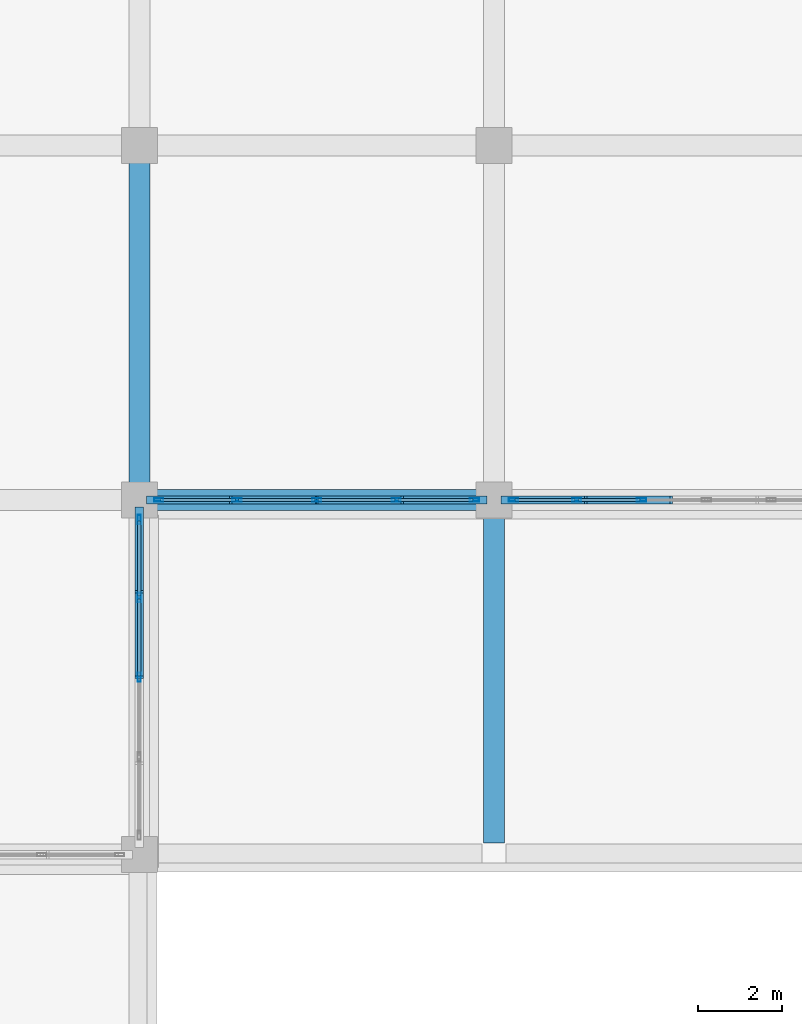
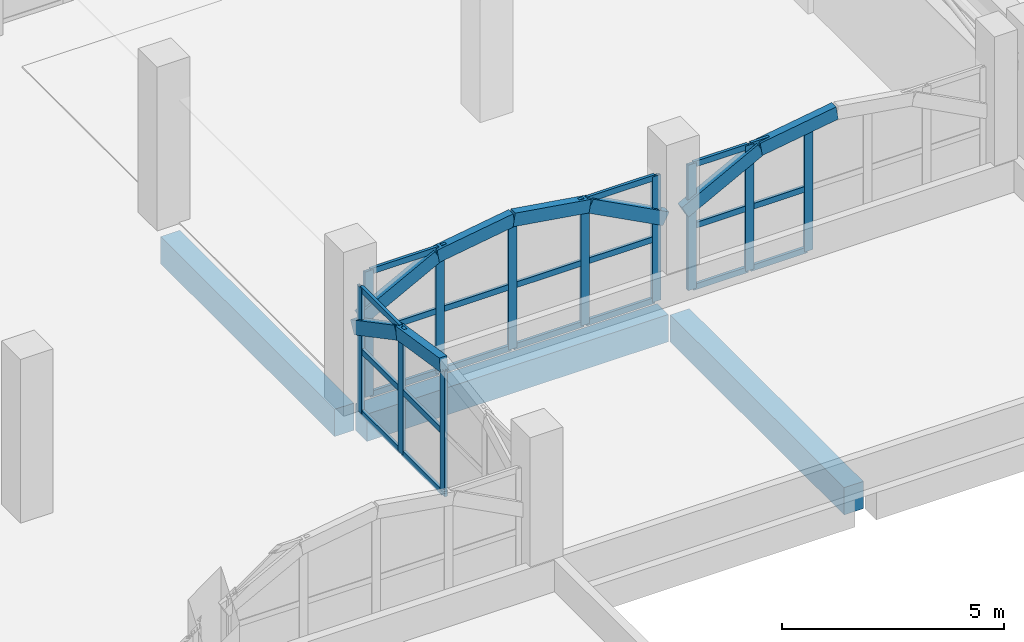
# One storey, part 48 of 129: 43 members, 3 beams, 3 elements without a shape of their own.
"""IFC4 building model written with IfcOpenShell, lengths in metres."""

from ifc_helpers import new_model, si_unit, direction, frame, origin, origin_2d, place, context, subcontext, project, spatial, rectangle, hollow_rectangle, extrude, material, layer, layer_set, material_profile, profile_set, type_object, element, aggregate, save


model = new_model("IFC4")

# Units and contexts
model_context = context("Model", 3, precision=1e-05, world=origin(), true_north=direction((0.0, 1.0)))
body_context = subcontext(model_context, "Body", "Model", "MODEL_VIEW")
ifc_project = project(units=[si_unit("LENGTHUNIT", "METRE"), si_unit("AREAUNIT", "SQUARE_METRE"), si_unit("VOLUMEUNIT", "CUBIC_METRE"), si_unit("PLANEANGLEUNIT", "RADIAN"), si_unit("MASSUNIT", "GRAM", prefix="KILO")], contexts=[model_context])

# Site, building, storey
site_placement = place(None, origin())
site = spatial("IfcSite", under=ifc_project, at=site_placement, CompositionType="ELEMENT")
building_placement = place(site_placement, origin())
building = spatial("IfcBuilding", under=site, at=building_placement, Name="Xazarin Passage Department Store", CompositionType="ELEMENT")
storey_placement = place(building_placement, frame((0.0, 0.0, 9.89990234375)))
storey = spatial("IfcBuildingStorey", under=building, at=storey_placement, Name="L02", CompositionType="ELEMENT", Elevation=9.89990234375)

# Curtain wall, members
ifc_material_1 = material(Name="Bronze anodised aluminium", Category="aluminium")
ifc_layer = layer(ifc_material_1, 0.199951171875)
ifc_layer_set = layer_set([ifc_layer], Name="Bronze anodised aluminium")
curtain_wall_type = type_object("IfcCurtainWallType", Name="ARC-CW-VIT2", PredefinedType="NOTDEFINED", material=ifc_layer_set)
curtain_wall_1_placement = place(storey_placement, origin())
curtain_wall_1 = element("IfcCurtainWall", 1, at=curtain_wall_1_placement, inside=storey, type_object=curtain_wall_type, Name="L02 V1 Curtain Wall 035", PredefinedType="NOTDEFINED")
ifc_material_profile_1 = material_profile(ifc_material_1, hollow_rectangle(XDim=0.074951171875, YDim=0.219970703125, WallThickness=0.0048828125, at=origin_2d()), Name="ALU 75x220")
ifc_profile_set_1 = profile_set([ifc_material_profile_1], Name="Bronze anodised aluminium")
member_type_1 = type_object("IfcMemberType", Name="ARC-CWM-75x220", PredefinedType="MULLION", material=ifc_profile_set_1)
member_1_placement = place(storey_placement, frame((50.862548828125, 68.0, 0.0), z_axis=(0.0, 0.0, 1.0), x_axis=(0.0, 1.0, 0.0)))
member_1 = element("IfcMember", 2, at=member_1_placement, type_object=member_type_1, Name="CW2 mullion 1", PredefinedType="MULLION", context=body_context, shape_type="SweptSolid", body=[
    extrude(hollow_rectangle(XDim=0.074951171875, YDim=0.219970703125, WallThickness=0.0048828125, at=origin_2d()), origin(), (0.0, 0.0, 1.0), 3.4501953125),
])
member_2_placement = place(storey_placement, frame((52.71240234375, 68.0, 0.0), z_axis=(0.0, 0.0, 1.0), x_axis=(0.0, 1.0, 0.0)))
member_2 = element("IfcMember", 3, at=member_2_placement, type_object=member_type_1, Name="CW2 mullion 2", PredefinedType="MULLION", context=body_context, shape_type="SweptSolid", body=[
    extrude(hollow_rectangle(XDim=0.074951171875, YDim=0.219970703125, WallThickness=0.0048828125, at=origin_2d()), origin(), (0.0, 0.0, 1.0), 3.4501953125),
])
member_3_placement = place(storey_placement, frame((54.60009765625, 68.0, 0.0), z_axis=(0.0, 0.0, 1.0), x_axis=(0.0, 1.0, 0.0)))
member_3 = element("IfcMember", 4, at=member_3_placement, type_object=member_type_1, Name="CW2 mullion 3", PredefinedType="MULLION", context=body_context, shape_type="SweptSolid", body=[
    extrude(hollow_rectangle(XDim=0.074951171875, YDim=0.219970703125, WallThickness=0.0048828125, at=origin_2d()), origin(), (0.0, 0.0, 1.0), 3.4501953125),
])
member_4_placement = place(storey_placement, frame((56.487548828125, 68.0, 0.0), z_axis=(0.0, 0.0, 1.0), x_axis=(0.0, 1.0, 0.0)))
member_4 = element("IfcMember", 5, at=member_4_placement, type_object=member_type_1, Name="CW2 mullion 4", PredefinedType="MULLION", context=body_context, shape_type="SweptSolid", body=[
    extrude(hollow_rectangle(XDim=0.074951171875, YDim=0.219970703125, WallThickness=0.0048828125, at=origin_2d()), origin(), (0.0, 0.0, 1.0), 3.4501953125),
])
member_5_placement = place(storey_placement, frame((58.33740234375, 68.0, 0.0), z_axis=(0.0, 0.0, 1.0), x_axis=(0.0, 1.0, 0.0)))
member_5 = element("IfcMember", 6, at=member_5_placement, type_object=member_type_1, Name="CW2 mullion 5", PredefinedType="MULLION", context=body_context, shape_type="SweptSolid", body=[
    extrude(hollow_rectangle(XDim=0.074951171875, YDim=0.219970703125, WallThickness=0.0048828125, at=origin_2d()), origin(), (0.0, 0.0, 1.0), 3.4501953125),
])

curtain_wall_2_placement = place(storey_placement, origin())
curtain_wall_2 = element("IfcCurtainWall", 7, at=curtain_wall_2_placement, inside=storey, type_object=curtain_wall_type, Name="L02 V1 Curtain Wall 036", PredefinedType="NOTDEFINED")
member_6_placement = place(storey_placement, frame((59.262451171875, 68.0, 0.0), z_axis=(0.0, 0.0, 1.0), x_axis=(0.0, 1.0, 0.0)))
member_6 = element("IfcMember", 8, at=member_6_placement, type_object=member_type_1, Name="CW2 mullion 1", PredefinedType="MULLION", context=body_context, shape_type="SweptSolid", body=[
    extrude(hollow_rectangle(XDim=0.074951171875, YDim=0.219970703125, WallThickness=0.0048828125, at=origin_2d()), origin(), (0.0, 0.0, 1.0), 3.4501953125),
])
member_7_placement = place(storey_placement, frame((60.760009765625, 68.0, 0.0), z_axis=(0.0, 0.0, 1.0), x_axis=(0.0, 1.0, 0.0)))
member_7 = element("IfcMember", 9, at=member_7_placement, type_object=member_type_1, Name="CW2 mullion 2", PredefinedType="MULLION", context=body_context, shape_type="SweptSolid", body=[
    extrude(hollow_rectangle(XDim=0.074951171875, YDim=0.219970703125, WallThickness=0.0048828125, at=origin_2d()), origin(), (0.0, 0.0, 1.0), 3.4501953125),
])
member_8_placement = place(storey_placement, frame((62.294921875, 68.0, 0.0), z_axis=(0.0, 0.0, 1.0), x_axis=(0.0, 1.0, 0.0)))
member_8 = element("IfcMember", 10, at=member_8_placement, type_object=member_type_1, Name="CW2 mullion 3", PredefinedType="MULLION", context=body_context, shape_type="SweptSolid", body=[
    extrude(hollow_rectangle(XDim=0.074951171875, YDim=0.219970703125, WallThickness=0.0048828125, at=origin_2d()), origin(), (0.0, 0.0, 1.0), 3.4501953125),
])

curtain_wall_3_placement = place(storey_placement, origin())
curtain_wall_3 = element("IfcCurtainWall", 11, at=curtain_wall_3_placement, inside=storey, type_object=curtain_wall_type, Name="L02 V1 Curtain Wall 051", PredefinedType="NOTDEFINED")
member_9_placement = place(storey_placement, frame((50.39990234375, 63.800048828125, 0.0), z_axis=(0.0, 0.0, 1.0), x_axis=(-1.0, 0.0, 0.0)))
member_9 = element("IfcMember", 12, at=member_9_placement, type_object=member_type_1, Name="CW2 mullion 3", PredefinedType="MULLION", context=body_context, shape_type="SweptSolid", body=[
    extrude(hollow_rectangle(XDim=0.074951171875, YDim=0.219970703125, WallThickness=0.0048828125, at=origin_2d()), origin(), (0.0, 0.0, 1.0), 3.4501953125),
])
member_10_placement = place(storey_placement, frame((50.39990234375, 65.6875, 0.0), z_axis=(0.0, 0.0, 1.0), x_axis=(-1.0, 0.0, 0.0)))
member_10 = element("IfcMember", 13, at=member_10_placement, type_object=member_type_1, Name="CW2 mullion 4", PredefinedType="MULLION", context=body_context, shape_type="SweptSolid", body=[
    extrude(hollow_rectangle(XDim=0.074951171875, YDim=0.219970703125, WallThickness=0.0048828125, at=origin_2d()), origin(), (0.0, 0.0, 1.0), 3.4501953125),
])
member_11_placement = place(storey_placement, frame((50.39990234375, 67.53759765625, 0.0), z_axis=(0.0, 0.0, 1.0), x_axis=(-1.0, 0.0, 0.0)))
member_11 = element("IfcMember", 14, at=member_11_placement, type_object=member_type_1, Name="CW2 mullion 5", PredefinedType="MULLION", context=body_context, shape_type="SweptSolid", body=[
    extrude(hollow_rectangle(XDim=0.074951171875, YDim=0.219970703125, WallThickness=0.0048828125, at=origin_2d()), origin(), (0.0, 0.0, 1.0), 3.4501953125),
])

# Member
ifc_material_profile_2 = material_profile(ifc_material_1, hollow_rectangle(XDim=0.074951171875, YDim=0.159912109375, WallThickness=0.00439453125, at=origin_2d()), Name="ALU 75x160")
ifc_profile_set_2 = profile_set([ifc_material_profile_2], Name="Bronze anodised aluminium")
member_type_2 = type_object("IfcMemberType", Name="ARC-CWT-75x160", PredefinedType="USERDEFINED", material=ifc_profile_set_2)
member_12_placement = place(storey_placement, frame((50.89990234375, 68.0, 0.03759765625), z_axis=(1.0, 0.0, 0.0), x_axis=(0.0, 1.0, 0.0)))
member_12 = element("IfcMember", 15, at=member_12_placement, type_object=member_type_2, Name="CW2 transom 1.1", ObjectType="TRANSOM", PredefinedType="USERDEFINED", context=body_context, shape_type="SweptSolid", body=[
    extrude(hollow_rectangle(XDim=0.074951171875, YDim=0.159912109375, WallThickness=0.00439453125, at=origin_2d()), origin(), (0.0, 0.0, 1.0), 1.775146484375),
])

member_13_placement = place(storey_placement, frame((50.89990234375, 68.0, 1.72509765625), z_axis=(1.0, 0.0, 0.0), x_axis=(0.0, 1.0, 0.0)))
member_13 = element("IfcMember", 16, at=member_13_placement, type_object=member_type_2, Name="CW2 transom 1.2", ObjectType="TRANSOM", PredefinedType="USERDEFINED", context=body_context, shape_type="SweptSolid", body=[
    extrude(hollow_rectangle(XDim=0.074951171875, YDim=0.159912109375, WallThickness=0.00439453125, at=origin_2d()), origin(), (0.0, 0.0, 1.0), 1.775146484375),
])

member_14_placement = place(storey_placement, frame((50.89990234375, 68.0, 3.41259765625), z_axis=(1.0, 0.0, 0.0), x_axis=(0.0, 1.0, 0.0)))
member_14 = element("IfcMember", 17, at=member_14_placement, type_object=member_type_2, Name="CW2 transom 1.3", ObjectType="TRANSOM", PredefinedType="USERDEFINED", context=body_context, shape_type="SweptSolid", body=[
    extrude(hollow_rectangle(XDim=0.074951171875, YDim=0.159912109375, WallThickness=0.00439453125, at=origin_2d()), origin(), (0.0, 0.0, 1.0), 1.775146484375),
])

member_15_placement = place(storey_placement, frame((52.75, 68.0, 0.03759765625), z_axis=(1.0, 0.0, 0.0), x_axis=(0.0, 1.0, 0.0)))
member_15 = element("IfcMember", 18, at=member_15_placement, type_object=member_type_2, Name="CW2 transom 2.1", ObjectType="TRANSOM", PredefinedType="USERDEFINED", context=body_context, shape_type="SweptSolid", body=[
    extrude(hollow_rectangle(XDim=0.074951171875, YDim=0.159912109375, WallThickness=0.00439453125, at=origin_2d()), origin(), (0.0, 0.0, 1.0), 1.8125),
])

member_16_placement = place(storey_placement, frame((52.75, 68.0, 1.72509765625), z_axis=(1.0, 0.0, 0.0), x_axis=(0.0, 1.0, 0.0)))
member_16 = element("IfcMember", 19, at=member_16_placement, type_object=member_type_2, Name="CW2 transom 2.2", ObjectType="TRANSOM", PredefinedType="USERDEFINED", context=body_context, shape_type="SweptSolid", body=[
    extrude(hollow_rectangle(XDim=0.074951171875, YDim=0.159912109375, WallThickness=0.00439453125, at=origin_2d()), origin(), (0.0, 0.0, 1.0), 1.8125),
])

member_17_placement = place(storey_placement, frame((52.75, 68.0, 3.41259765625), z_axis=(1.0, 0.0, 0.0), x_axis=(0.0, 1.0, 0.0)))
member_17 = element("IfcMember", 20, at=member_17_placement, type_object=member_type_2, Name="CW2 transom 2.3", ObjectType="TRANSOM", PredefinedType="USERDEFINED", context=body_context, shape_type="SweptSolid", body=[
    extrude(hollow_rectangle(XDim=0.074951171875, YDim=0.159912109375, WallThickness=0.00439453125, at=origin_2d()), origin(), (0.0, 0.0, 1.0), 1.8125),
])

member_18_placement = place(storey_placement, frame((54.637451171875, 68.0, 0.03759765625), z_axis=(1.0, 0.0, 0.0), x_axis=(0.0, 1.0, 0.0)))
member_18 = element("IfcMember", 21, at=member_18_placement, type_object=member_type_2, Name="CW2 transom 3.1", ObjectType="TRANSOM", PredefinedType="USERDEFINED", context=body_context, shape_type="SweptSolid", body=[
    extrude(hollow_rectangle(XDim=0.074951171875, YDim=0.159912109375, WallThickness=0.00439453125, at=origin_2d()), origin(), (0.0, 0.0, 1.0), 1.8125),
])

member_19_placement = place(storey_placement, frame((54.637451171875, 68.0, 1.72509765625), z_axis=(1.0, 0.0, 0.0), x_axis=(0.0, 1.0, 0.0)))
member_19 = element("IfcMember", 22, at=member_19_placement, type_object=member_type_2, Name="CW2 transom 3.2", ObjectType="TRANSOM", PredefinedType="USERDEFINED", context=body_context, shape_type="SweptSolid", body=[
    extrude(hollow_rectangle(XDim=0.074951171875, YDim=0.159912109375, WallThickness=0.00439453125, at=origin_2d()), origin(), (0.0, 0.0, 1.0), 1.8125),
])

member_20_placement = place(storey_placement, frame((54.637451171875, 68.0, 3.41259765625), z_axis=(1.0, 0.0, 0.0), x_axis=(0.0, 1.0, 0.0)))
member_20 = element("IfcMember", 23, at=member_20_placement, type_object=member_type_2, Name="CW2 transom 3.3", ObjectType="TRANSOM", PredefinedType="USERDEFINED", context=body_context, shape_type="SweptSolid", body=[
    extrude(hollow_rectangle(XDim=0.074951171875, YDim=0.159912109375, WallThickness=0.00439453125, at=origin_2d()), origin(), (0.0, 0.0, 1.0), 1.8125),
])

member_21_placement = place(storey_placement, frame((56.52490234375, 68.0, 0.03759765625), z_axis=(1.0, 0.0, 0.0), x_axis=(0.0, 1.0, 0.0)))
member_21 = element("IfcMember", 24, at=member_21_placement, type_object=member_type_2, Name="CW2 transom 4.1", ObjectType="TRANSOM", PredefinedType="USERDEFINED", context=body_context, shape_type="SweptSolid", body=[
    extrude(hollow_rectangle(XDim=0.074951171875, YDim=0.159912109375, WallThickness=0.00439453125, at=origin_2d()), origin(), (0.0, 0.0, 1.0), 1.775146484375),
])

member_22_placement = place(storey_placement, frame((56.52490234375, 68.0, 1.72509765625), z_axis=(1.0, 0.0, 0.0), x_axis=(0.0, 1.0, 0.0)))
member_22 = element("IfcMember", 25, at=member_22_placement, type_object=member_type_2, Name="CW2 transom 4.2", ObjectType="TRANSOM", PredefinedType="USERDEFINED", context=body_context, shape_type="SweptSolid", body=[
    extrude(hollow_rectangle(XDim=0.074951171875, YDim=0.159912109375, WallThickness=0.00439453125, at=origin_2d()), origin(), (0.0, 0.0, 1.0), 1.775146484375),
])

member_23_placement = place(storey_placement, frame((56.52490234375, 68.0, 3.41259765625), z_axis=(1.0, 0.0, 0.0), x_axis=(0.0, 1.0, 0.0)))
member_23 = element("IfcMember", 26, at=member_23_placement, type_object=member_type_2, Name="CW2 transom 4.3", ObjectType="TRANSOM", PredefinedType="USERDEFINED", context=body_context, shape_type="SweptSolid", body=[
    extrude(hollow_rectangle(XDim=0.074951171875, YDim=0.159912109375, WallThickness=0.00439453125, at=origin_2d()), origin(), (0.0, 0.0, 1.0), 1.775146484375),
])

aggregate(curtain_wall_1, [member_1, member_2, member_3, member_4, member_5, member_12, member_13, member_14, member_15, member_16, member_17, member_18, member_19, member_20, member_21, member_22, member_23])

member_24_placement = place(storey_placement, frame((59.300048828125, 68.0, 0.03759765625), z_axis=(1.0, 0.0, 0.0), x_axis=(0.0, 1.0, 0.0)))
member_24 = element("IfcMember", 27, at=member_24_placement, type_object=member_type_2, Name="CW2 transom 1.1", ObjectType="TRANSOM", PredefinedType="USERDEFINED", context=body_context, shape_type="SweptSolid", body=[
    extrude(hollow_rectangle(XDim=0.074951171875, YDim=0.159912109375, WallThickness=0.00439453125, at=origin_2d()), origin(), (0.0, 0.0, 1.0), 1.42236328125),
])

member_25_placement = place(storey_placement, frame((59.300048828125, 68.0, 1.72509765625), z_axis=(1.0, 0.0, 0.0), x_axis=(0.0, 1.0, 0.0)))
member_25 = element("IfcMember", 28, at=member_25_placement, type_object=member_type_2, Name="CW2 transom 1.2", ObjectType="TRANSOM", PredefinedType="USERDEFINED", context=body_context, shape_type="SweptSolid", body=[
    extrude(hollow_rectangle(XDim=0.074951171875, YDim=0.159912109375, WallThickness=0.00439453125, at=origin_2d()), origin(), (0.0, 0.0, 1.0), 1.42236328125),
])

member_26_placement = place(storey_placement, frame((59.300048828125, 68.0, 3.41259765625), z_axis=(1.0, 0.0, 0.0), x_axis=(0.0, 1.0, 0.0)))
member_26 = element("IfcMember", 29, at=member_26_placement, type_object=member_type_2, Name="CW2 transom 1.3", ObjectType="TRANSOM", PredefinedType="USERDEFINED", context=body_context, shape_type="SweptSolid", body=[
    extrude(hollow_rectangle(XDim=0.074951171875, YDim=0.159912109375, WallThickness=0.00439453125, at=origin_2d()), origin(), (0.0, 0.0, 1.0), 1.42236328125),
])

member_27_placement = place(storey_placement, frame((60.797607421875, 68.0, 0.03759765625), z_axis=(1.0, 0.0, 0.0), x_axis=(0.0, 1.0, 0.0)))
member_27 = element("IfcMember", 30, at=member_27_placement, type_object=member_type_2, Name="CW2 transom 2.1", ObjectType="TRANSOM", PredefinedType="USERDEFINED", context=body_context, shape_type="SweptSolid", body=[
    extrude(hollow_rectangle(XDim=0.074951171875, YDim=0.159912109375, WallThickness=0.00439453125, at=origin_2d()), origin(), (0.0, 0.0, 1.0), 1.4599609375),
])

member_28_placement = place(storey_placement, frame((60.797607421875, 68.0, 1.72509765625), z_axis=(1.0, 0.0, 0.0), x_axis=(0.0, 1.0, 0.0)))
member_28 = element("IfcMember", 31, at=member_28_placement, type_object=member_type_2, Name="CW2 transom 2.2", ObjectType="TRANSOM", PredefinedType="USERDEFINED", context=body_context, shape_type="SweptSolid", body=[
    extrude(hollow_rectangle(XDim=0.074951171875, YDim=0.159912109375, WallThickness=0.00439453125, at=origin_2d()), origin(), (0.0, 0.0, 1.0), 1.4599609375),
])

member_29_placement = place(storey_placement, frame((60.797607421875, 68.0, 3.41259765625), z_axis=(1.0, 0.0, 0.0), x_axis=(0.0, 1.0, 0.0)))
member_29 = element("IfcMember", 32, at=member_29_placement, type_object=member_type_2, Name="CW2 transom 2.3", ObjectType="TRANSOM", PredefinedType="USERDEFINED", context=body_context, shape_type="SweptSolid", body=[
    extrude(hollow_rectangle(XDim=0.074951171875, YDim=0.159912109375, WallThickness=0.00439453125, at=origin_2d()), origin(), (0.0, 0.0, 1.0), 1.4599609375),
])

aggregate(curtain_wall_2, [member_6, member_7, member_8, member_24, member_25, member_26, member_27, member_28, member_29])

member_30_placement = place(storey_placement, frame((50.39990234375, 63.83740234375, 0.03759765625), z_axis=(0.0, 1.0, 0.0), x_axis=(-1.0, 0.0, 0.0)))
member_30 = element("IfcMember", 33, at=member_30_placement, type_object=member_type_2, Name="CW2 transom 3.1", ObjectType="TRANSOM", PredefinedType="USERDEFINED", context=body_context, shape_type="SweptSolid", body=[
    extrude(hollow_rectangle(XDim=0.074951171875, YDim=0.159912109375, WallThickness=0.00439453125, at=origin_2d()), origin(), (0.0, 0.0, 1.0), 1.8125),
])

member_31_placement = place(storey_placement, frame((50.39990234375, 63.83740234375, 1.72509765625), z_axis=(0.0, 1.0, 0.0), x_axis=(-1.0, 0.0, 0.0)))
member_31 = element("IfcMember", 34, at=member_31_placement, type_object=member_type_2, Name="CW2 transom 3.2", ObjectType="TRANSOM", PredefinedType="USERDEFINED", context=body_context, shape_type="SweptSolid", body=[
    extrude(hollow_rectangle(XDim=0.074951171875, YDim=0.159912109375, WallThickness=0.00439453125, at=origin_2d()), origin(), (0.0, 0.0, 1.0), 1.8125),
])

member_32_placement = place(storey_placement, frame((50.39990234375, 63.83740234375, 3.41259765625), z_axis=(0.0, 1.0, 0.0), x_axis=(-1.0, 0.0, 0.0)))
member_32 = element("IfcMember", 35, at=member_32_placement, type_object=member_type_2, Name="CW2 transom 3.3", ObjectType="TRANSOM", PredefinedType="USERDEFINED", context=body_context, shape_type="SweptSolid", body=[
    extrude(hollow_rectangle(XDim=0.074951171875, YDim=0.159912109375, WallThickness=0.00439453125, at=origin_2d()), origin(), (0.0, 0.0, 1.0), 1.8125),
])

member_33_placement = place(storey_placement, frame((50.39990234375, 65.72509765625, 0.03759765625), z_axis=(0.0, 1.0, 0.0), x_axis=(-1.0, 0.0, 0.0)))
member_33 = element("IfcMember", 36, at=member_33_placement, type_object=member_type_2, Name="CW2 transom 4.1", ObjectType="TRANSOM", PredefinedType="USERDEFINED", context=body_context, shape_type="SweptSolid", body=[
    extrude(hollow_rectangle(XDim=0.074951171875, YDim=0.159912109375, WallThickness=0.00439453125, at=origin_2d()), origin(), (0.0, 0.0, 1.0), 1.77490234375),
])

member_34_placement = place(storey_placement, frame((50.39990234375, 65.72509765625, 1.72509765625), z_axis=(0.0, 1.0, 0.0), x_axis=(-1.0, 0.0, 0.0)))
member_34 = element("IfcMember", 37, at=member_34_placement, type_object=member_type_2, Name="CW2 transom 4.2", ObjectType="TRANSOM", PredefinedType="USERDEFINED", context=body_context, shape_type="SweptSolid", body=[
    extrude(hollow_rectangle(XDim=0.074951171875, YDim=0.159912109375, WallThickness=0.00439453125, at=origin_2d()), origin(), (0.0, 0.0, 1.0), 1.77490234375),
])

member_35_placement = place(storey_placement, frame((50.39990234375, 65.72509765625, 3.41259765625), z_axis=(0.0, 1.0, 0.0), x_axis=(-1.0, 0.0, 0.0)))
member_35 = element("IfcMember", 38, at=member_35_placement, type_object=member_type_2, Name="CW2 transom 4.3", ObjectType="TRANSOM", PredefinedType="USERDEFINED", context=body_context, shape_type="SweptSolid", body=[
    extrude(hollow_rectangle(XDim=0.074951171875, YDim=0.159912109375, WallThickness=0.00439453125, at=origin_2d()), origin(), (0.0, 0.0, 1.0), 1.77490234375),
])

aggregate(curtain_wall_3, [member_9, member_10, member_11, member_30, member_31, member_32, member_33, member_34, member_35])

# Beams
ifc_material_2 = material(Name="Concrete C35/45", Category="concrete")
ifc_material_profile_3 = material_profile(ifc_material_2, rectangle(XDim=0.5, YDim=0.75, at=origin_2d()), Name="RC 500x750")
ifc_profile_set_3 = profile_set([ifc_material_profile_3], Name="Concrete C35/45")
beam_type = type_object("IfcBeamType", Name="STR-BM-SP500x750", PredefinedType="SPANDREL", material=ifc_profile_set_3)
for number, where, z_axis, x_axis, name in (
    (39, (50.679931640625, 68.0, -0.6748046875), (1.0, 0.0, 0.0), (0.0, 1.0, 0.0), "L02 Grid Beam K/7-8"),
    (40, (50.39990234375, 68.280029296875, -0.6748046875), (0.0, 1.0, 0.0), (-1.0, 0.0, 0.0), "L02 Grid Beam 7/K-L"),
    (41, (58.800048828125, 59.8798828125, -0.6748046875), (0.0, 1.0, 0.0), (-1.0, 0.0, 0.0), "L02 Grid Beam 8/J-K"),
):
    element("IfcBeam", number, at=place(storey_placement, frame(where, z_axis=z_axis, x_axis=x_axis)), inside=storey, type_object=beam_type, Name=name, PredefinedType="SPANDREL", context=body_context, shape_type="SweptSolid", body=[
        extrude(rectangle(XDim=0.5, YDim=0.75, at=origin_2d()), origin(), (0.0, 0.0, 1.0), 7.840087890625),
    ])

# Members
ifc_material_3 = material(Name="Concrete C40/50", Category="concrete")
ifc_material_profile_4 = material_profile(ifc_material_3, rectangle(XDim=0.199951171875, YDim=0.360107421875, at=origin_2d()), Name="RC 200x360")
ifc_profile_set_4 = profile_set([ifc_material_profile_4], Name="Concrete C40/50")
member_type_3 = type_object("IfcMemberType", Name="STR-MEM-ARC360", PredefinedType="CHORD", material=ifc_profile_set_4)
member_36_placement = place(storey_placement, frame((50.64990234375, 68.0, 2.22998046875), z_axis=(0.88473311603, 0.0, 0.466097965454), x_axis=(0.0, 1.0, 0.0)))
element("IfcMember", 42, at=member_36_placement, inside=storey, type_object=member_type_3, Name="L02 V1 Upper Setback Pierced Arch 009.1", PredefinedType="CHORD", context=body_context, shape_type="SweptSolid", body=[
    extrude(rectangle(XDim=0.199951171875, YDim=0.360107421875, at=origin_2d()), origin(), (0.0, 0.0, 1.0), 2.232421875),
])
member_37_placement = place(storey_placement, frame((52.625, 68.0, 3.2705078125), z_axis=(0.987938581312, 0.0, 0.154846244883), x_axis=(0.0, 1.0, 0.0)))
element("IfcMember", 43, at=member_37_placement, inside=storey, type_object=member_type_3, Name="L02 V1 Upper Setback Pierced Arch 009.2", PredefinedType="CHORD", context=body_context, shape_type="SweptSolid", body=[
    extrude(rectangle(XDim=0.199951171875, YDim=0.360107421875, at=origin_2d()), origin(), (0.0, 0.0, 1.0), 1.999267578125),
])
member_38_placement = place(storey_placement, frame((54.60009765625, 68.0, 3.580078125), z_axis=(0.987935652704, 0.0, -0.154864928623), x_axis=(0.0, 1.0, 0.0)))
element("IfcMember", 44, at=member_38_placement, inside=storey, type_object=member_type_3, Name="L02 V1 Upper Setback Pierced Arch 009.3", PredefinedType="CHORD", context=body_context, shape_type="SweptSolid", body=[
    extrude(rectangle(XDim=0.199951171875, YDim=0.360107421875, at=origin_2d()), origin(), (0.0, 0.0, 1.0), 1.9990234375),
])
member_39_placement = place(storey_placement, frame((56.574951171875, 68.0, 3.2705078125), z_axis=(0.88473311603, 0.0, -0.466097965454), x_axis=(0.0, 1.0, 0.0)))
element("IfcMember", 45, at=member_39_placement, inside=storey, type_object=member_type_3, Name="L02 V1 Upper Setback Pierced Arch 009.4", PredefinedType="CHORD", context=body_context, shape_type="SweptSolid", body=[
    extrude(rectangle(XDim=0.199951171875, YDim=0.360107421875, at=origin_2d()), origin(), (0.0, 0.0, 1.0), 2.232421875),
])
member_40_placement = place(storey_placement, frame((59.050048828125, 68.0, 2.22998046875), z_axis=(0.884709354127, 0.0, 0.466143066793), x_axis=(0.0, 1.0, 0.0)))
element("IfcMember", 46, at=member_40_placement, inside=storey, type_object=member_type_3, Name="L02 V1 Upper Setback Pierced Arch 010.1", PredefinedType="CHORD", context=body_context, shape_type="SweptSolid", body=[
    extrude(rectangle(XDim=0.199951171875, YDim=0.360107421875, at=origin_2d()), origin(), (0.0, 0.0, 1.0), 2.232177734375),
])
member_41_placement = place(storey_placement, frame((61.02490234375, 68.0, 3.2705078125), z_axis=(0.987938581312, 0.0, 0.154846244883), x_axis=(0.0, 1.0, 0.0)))
element("IfcMember", 47, at=member_41_placement, inside=storey, type_object=member_type_3, Name="L02 V1 Upper Setback Pierced Arch 010.2", PredefinedType="CHORD", context=body_context, shape_type="SweptSolid", body=[
    extrude(rectangle(XDim=0.199951171875, YDim=0.360107421875, at=origin_2d()), origin(), (0.0, 0.0, 1.0), 1.999267578125),
])
member_42_placement = place(storey_placement, frame((50.39990234375, 63.800048828125, 3.580078125), z_axis=(0.0, 0.987935652704, -0.154864928623), x_axis=(-1.0, 0.0, 0.0)))
element("IfcMember", 48, at=member_42_placement, inside=storey, type_object=member_type_3, Name="L02 V1 Upper Setback Pierced Arch 011.3", PredefinedType="CHORD", context=body_context, shape_type="SweptSolid", body=[
    extrude(rectangle(XDim=0.199951171875, YDim=0.360107421875, at=origin_2d()), origin(), (0.0, 0.0, 1.0), 1.9990234375),
])
member_43_placement = place(storey_placement, frame((50.39990234375, 65.77490234375, 3.2705078125), z_axis=(0.0, 0.88473311603, -0.466097965454), x_axis=(-1.0, 0.0, 0.0)))
element("IfcMember", 49, at=member_43_placement, inside=storey, type_object=member_type_3, Name="L02 V1 Upper Setback Pierced Arch 011.4", PredefinedType="CHORD", context=body_context, shape_type="SweptSolid", body=[
    extrude(rectangle(XDim=0.199951171875, YDim=0.360107421875, at=origin_2d()), origin(), (0.0, 0.0, 1.0), 2.232421875),
])

save(model, "model.ifc")
